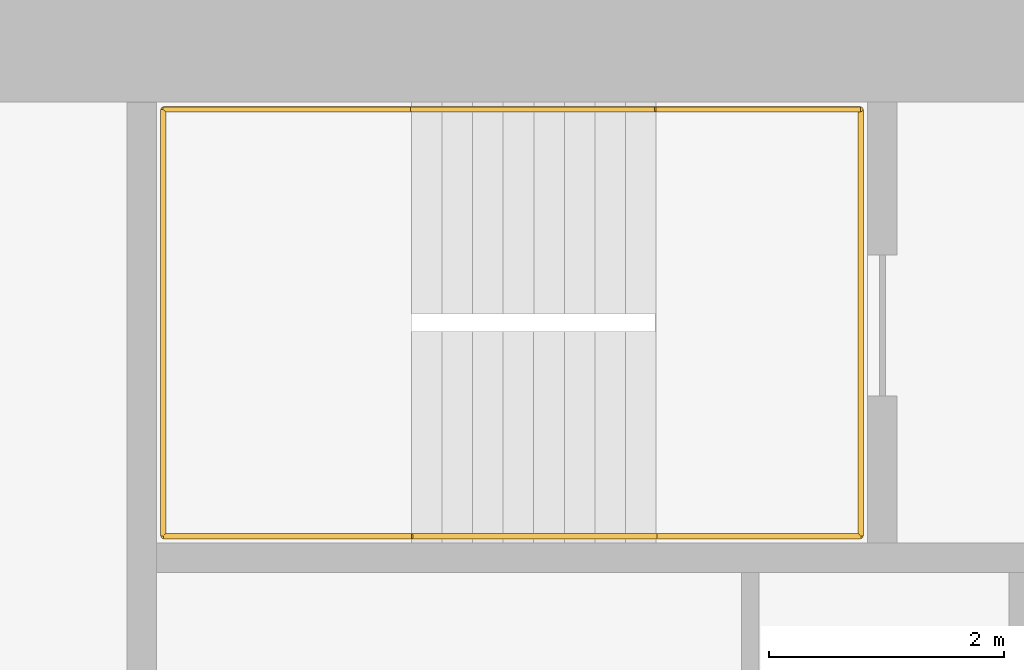
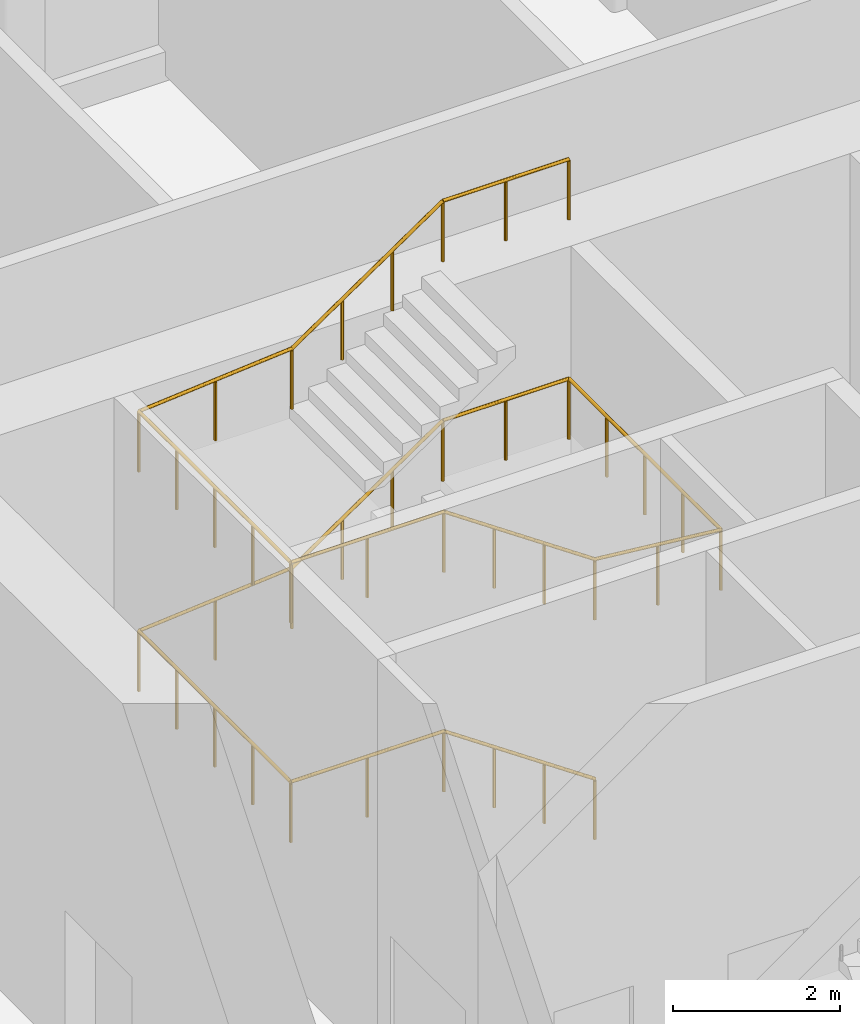
# One storey, part 33 of 41: 1 railing.
"""IFC4 building model written with IfcOpenShell, lengths in metres."""

from ifc_helpers import new_model, si_unit, direction, frame, origin, origin_2d, place, context, subcontext, project, spatial, circle, extrude, material, type_object, element, save


model = new_model("IFC4")

# Units and contexts
model_context = context("Model", 3, precision=1e-05, world=origin(), true_north=direction((0.0, 1.0)))
body_context = subcontext(model_context, "Body", "Model", "MODEL_VIEW")
ifc_project = project(units=[si_unit("LENGTHUNIT", "METRE"), si_unit("AREAUNIT", "SQUARE_METRE"), si_unit("VOLUMEUNIT", "CUBIC_METRE"), si_unit("PLANEANGLEUNIT", "RADIAN"), si_unit("MASSUNIT", "GRAM", prefix="KILO")], contexts=[model_context])

# Site, building, storey
site_placement = place(None, origin())
site = spatial("IfcSite", under=ifc_project, at=site_placement, CompositionType="ELEMENT")
building_placement = place(site_placement, origin())
building = spatial("IfcBuilding", under=site, at=building_placement, Name="Hakoniwa Tower and Hamabe Station Hall", CompositionType="ELEMENT")
storey_placement = place(building_placement, frame((0.0, 0.0, 180.199951171875)))
storey = spatial("IfcBuildingStorey", under=building, at=storey_placement, Name="L51", CompositionType="ELEMENT", Elevation=180.199951171875)

# Railing
ifc_material = material(Name="Stainless steel SUS304", Category="steel")
railing_type = type_object("IfcRailingType", Name="STAIR HANDRAIL 900", PredefinedType="HANDRAIL", material=ifc_material)
railing_placement = place(storey_placement, frame((24.39990234375, 3.81005859375, 0.177734375)))
element("IfcRailing", 1, at=railing_placement, inside=storey, type_object=railing_type, Name="Handrail ST-3 L51 1", PredefinedType="HANDRAIL", context=body_context, shape_type="SweptSolid", body=[
    extrude(circle(Radius=0.02392578125, at=origin_2d()), frame((0.0, 0.0, 0.8759765625), z_axis=(-0.825433201882, 0.0, 0.564499804456), x_axis=(0.0, -1.0, 0.0)), (0.0, 0.0, 1.0), 2.519775390625),
    extrude(circle(Radius=0.02392578125, at=origin_2d()), frame((-2.079833984375, 0.0, 2.29833984375), z_axis=(-1.0, 0.0, 0.0), x_axis=(0.0, -1.0, 0.0)), (0.0, 0.0, 1.0), 2.110107421875),
    extrude(circle(Radius=0.02392578125, at=origin_2d()), frame((-4.18994140625, 0.0, 2.29833984375), z_axis=(0.0, 1.0, 0.0), x_axis=(-1.0, 0.0, 0.0)), (0.0, 0.0, 1.0), 3.6298828125),
    extrude(circle(Radius=0.02392578125, at=origin_2d()), frame((-4.18994140625, 3.6298828125, 2.29833984375), z_axis=(0.996471417081, 0.0, 0.083932800143), x_axis=(0.0, 1.0, 0.0)), (0.0, 0.0, 1.0), 2.11767578125),
    extrude(circle(Radius=0.02392578125, at=origin_2d()), frame((-2.079833984375, 3.6298828125, 2.47607421875), z_axis=(0.825478349766, 0.0, 0.564433781827), x_axis=(0.0, 1.0, 0.0)), (0.0, 0.0, 1.0), 2.51953125),
    extrude(circle(Radius=0.02392578125, at=origin_2d()), frame((0.0, 3.6298828125, 3.89794921875), z_axis=(1.0, 0.0, 0.0), x_axis=(0.0, 1.0, 0.0)), (0.0, 0.0, 1.0), 1.739990234375),
    extrude(circle(Radius=0.02392578125, at=origin_2d()), frame((1.739990234375, 3.6298828125, 3.89794921875), z_axis=(0.0, -1.0, 0.0), x_axis=(1.0, 0.0, 0.0)), (0.0, 0.0, 1.0), 3.6298828125),
    extrude(circle(Radius=0.02392578125, at=origin_2d()), frame((1.739990234375, 0.0, 3.89794921875), z_axis=(-0.994809372355, 0.0, 0.10175614318), x_axis=(0.0, -1.0, 0.0)), (0.0, 0.0, 1.0), 1.7490234375),
    extrude(circle(Radius=0.02392578125, at=origin_2d()), frame((0.0, 0.0, 4.076171875), z_axis=(-0.825478349766, 0.0, 0.564433781827), x_axis=(0.0, -1.0, 0.0)), (0.0, 0.0, 1.0), 2.51953125),
    extrude(circle(Radius=0.02392578125, at=origin_2d()), frame((-2.079833984375, 0.0, 5.498046875), z_axis=(-1.0, 0.0, 0.0), x_axis=(0.0, -1.0, 0.0)), (0.0, 0.0, 1.0), 2.110107421875),
    extrude(circle(Radius=0.02392578125, at=origin_2d()), frame((-4.18994140625, 0.0, 5.498046875), z_axis=(0.0, 1.0, 0.0), x_axis=(-1.0, 0.0, 0.0)), (0.0, 0.0, 1.0), 3.6298828125),
    extrude(circle(Radius=0.02392578125, at=origin_2d()), frame((-4.18994140625, 3.6298828125, 5.498046875), z_axis=(0.996471417081, 0.0, 0.083932800143), x_axis=(0.0, 1.0, 0.0)), (0.0, 0.0, 1.0), 2.11767578125),
    extrude(circle(Radius=0.02392578125, at=origin_2d()), frame((-2.079833984375, 3.6298828125, 5.67578125), z_axis=(0.825433201882, 0.0, 0.564499804456), x_axis=(0.0, 1.0, 0.0)), (0.0, 0.0, 1.0), 2.519775390625),
    extrude(circle(Radius=0.02392578125, at=origin_2d()), frame((0.0, 3.6298828125, 7.09814453125), z_axis=(1.0, 0.0, 0.0), x_axis=(0.0, 1.0, 0.0)), (0.0, 0.0, 1.0), 1.739990234375),
    extrude(circle(Radius=0.02099609375, at=origin_2d()), origin(), (0.0, 0.0, 1.0), 0.851806640625),
    extrude(circle(Radius=0.02099609375, at=origin_2d()), frame((-0.693359375, 0.0, 0.47412109375)), (0.0, 0.0, 1.0), 0.851806640625),
    extrude(circle(Radius=0.02099609375, at=origin_2d()), frame((-1.386474609375, 0.0, 0.9482421875)), (0.0, 0.0, 1.0), 0.851806640625),
    extrude(circle(Radius=0.02099609375, at=origin_2d()), frame((-2.079833984375, 0.0, 1.42236328125)), (0.0, 0.0, 1.0), 0.851806640625),
    extrude(circle(Radius=0.02099609375, at=origin_2d()), frame((-3.134765625, 0.0, 1.42236328125)), (0.0, 0.0, 1.0), 0.851806640625),
    extrude(circle(Radius=0.02099609375, at=origin_2d()), frame((-4.18994140625, 0.0, 1.42236328125)), (0.0, 0.0, 1.0), 0.851806640625),
    extrude(circle(Radius=0.02099609375, at=origin_2d()), frame((-4.18994140625, 0.907470703125, 1.42236328125)), (0.0, 0.0, 1.0), 0.851806640625),
    extrude(circle(Radius=0.02099609375, at=origin_2d()), frame((-4.18994140625, 1.81494140625, 1.42236328125)), (0.0, 0.0, 1.0), 0.851806640625),
    extrude(circle(Radius=0.02099609375, at=origin_2d()), frame((-4.18994140625, 2.722412109375, 1.42236328125)), (0.0, 0.0, 1.0), 0.851806640625),
    extrude(circle(Radius=0.02099609375, at=origin_2d()), frame((-4.18994140625, 3.6298828125, 1.42236328125)), (0.0, 0.0, 1.0), 0.851806640625),
    extrude(circle(Radius=0.02099609375, at=origin_2d()), frame((-3.134765625, 3.6298828125, 1.51123046875)), (0.0, 0.0, 1.0), 0.851806640625),
    extrude(circle(Radius=0.02099609375, at=origin_2d()), frame((-2.079833984375, 3.6298828125, 1.60009765625)), (0.0, 0.0, 1.0), 0.851806640625),
    extrude(circle(Radius=0.02099609375, at=origin_2d()), frame((-1.386474609375, 3.6298828125, 2.07421875)), (0.0, 0.0, 1.0), 0.851806640625),
    extrude(circle(Radius=0.02099609375, at=origin_2d()), frame((-0.693359375, 3.6298828125, 2.548095703125)), (0.0, 0.0, 1.0), 0.851806640625),
    extrude(circle(Radius=0.02099609375, at=origin_2d()), frame((0.0, 3.6298828125, 3.022216796875)), (0.0, 0.0, 1.0), 0.851806640625),
    extrude(circle(Radius=0.02099609375, at=origin_2d()), frame((0.8701171875, 3.6298828125, 3.022216796875)), (0.0, 0.0, 1.0), 0.851806640625),
    extrude(circle(Radius=0.02099609375, at=origin_2d()), frame((1.739990234375, 3.6298828125, 3.022216796875)), (0.0, 0.0, 1.0), 0.851806640625),
    extrude(circle(Radius=0.02099609375, at=origin_2d()), frame((1.739990234375, 2.722412109375, 3.022216796875)), (0.0, 0.0, 1.0), 0.851806640625),
    extrude(circle(Radius=0.02099609375, at=origin_2d()), frame((1.739990234375, 1.81494140625, 3.022216796875)), (0.0, 0.0, 1.0), 0.851806640625),
    extrude(circle(Radius=0.02099609375, at=origin_2d()), frame((1.739990234375, 0.907470703125, 3.022216796875)), (0.0, 0.0, 1.0), 0.851806640625),
    extrude(circle(Radius=0.02099609375, at=origin_2d()), frame((1.739990234375, 0.0, 3.022216796875)), (0.0, 0.0, 1.0), 0.851806640625),
    extrude(circle(Radius=0.02099609375, at=origin_2d()), frame((0.8701171875, 0.0, 3.111328125)), (0.0, 0.0, 1.0), 0.851806640625),
    extrude(circle(Radius=0.02099609375, at=origin_2d()), frame((0.0, 0.0, 3.2001953125)), (0.0, 0.0, 1.0), 0.851806640625),
    extrude(circle(Radius=0.02099609375, at=origin_2d()), frame((-0.693359375, 0.0, 3.67431640625)), (0.0, 0.0, 1.0), 0.851806640625),
    extrude(circle(Radius=0.02099609375, at=origin_2d()), frame((-1.386474609375, 0.0, 4.148193359375)), (0.0, 0.0, 1.0), 0.851806640625),
    extrude(circle(Radius=0.02099609375, at=origin_2d()), frame((-2.079833984375, 0.0, 4.622314453125)), (0.0, 0.0, 1.0), 0.851806640625),
    extrude(circle(Radius=0.02099609375, at=origin_2d()), frame((-3.134765625, 0.0, 4.622314453125)), (0.0, 0.0, 1.0), 0.851806640625),
    extrude(circle(Radius=0.02099609375, at=origin_2d()), frame((-4.18994140625, 0.0, 4.622314453125)), (0.0, 0.0, 1.0), 0.851806640625),
    extrude(circle(Radius=0.02099609375, at=origin_2d()), frame((-4.18994140625, 0.907470703125, 4.622314453125)), (0.0, 0.0, 1.0), 0.851806640625),
    extrude(circle(Radius=0.02099609375, at=origin_2d()), frame((-4.18994140625, 1.81494140625, 4.622314453125)), (0.0, 0.0, 1.0), 0.851806640625),
    extrude(circle(Radius=0.02099609375, at=origin_2d()), frame((-4.18994140625, 2.722412109375, 4.622314453125)), (0.0, 0.0, 1.0), 0.851806640625),
    extrude(circle(Radius=0.02099609375, at=origin_2d()), frame((-4.18994140625, 3.6298828125, 4.622314453125)), (0.0, 0.0, 1.0), 0.851806640625),
    extrude(circle(Radius=0.02099609375, at=origin_2d()), frame((-3.134765625, 3.6298828125, 4.711181640625)), (0.0, 0.0, 1.0), 0.851806640625),
    extrude(circle(Radius=0.02099609375, at=origin_2d()), frame((-2.079833984375, 3.6298828125, 4.800048828125)), (0.0, 0.0, 1.0), 0.851806640625),
    extrude(circle(Radius=0.02099609375, at=origin_2d()), frame((-1.386474609375, 3.6298828125, 5.274169921875)), (0.0, 0.0, 1.0), 0.851806640625),
    extrude(circle(Radius=0.02099609375, at=origin_2d()), frame((-0.693359375, 3.6298828125, 5.748291015625)), (0.0, 0.0, 1.0), 0.851806640625),
    extrude(circle(Radius=0.02099609375, at=origin_2d()), frame((0.0, 3.6298828125, 6.222412109375)), (0.0, 0.0, 1.0), 0.851806640625),
    extrude(circle(Radius=0.02099609375, at=origin_2d()), frame((0.8701171875, 3.6298828125, 6.222412109375)), (0.0, 0.0, 1.0), 0.851806640625),
    extrude(circle(Radius=0.02099609375, at=origin_2d()), frame((1.739990234375, 3.6298828125, 6.222412109375)), (0.0, 0.0, 1.0), 0.851806640625),
])

save(model, "model.ifc")
